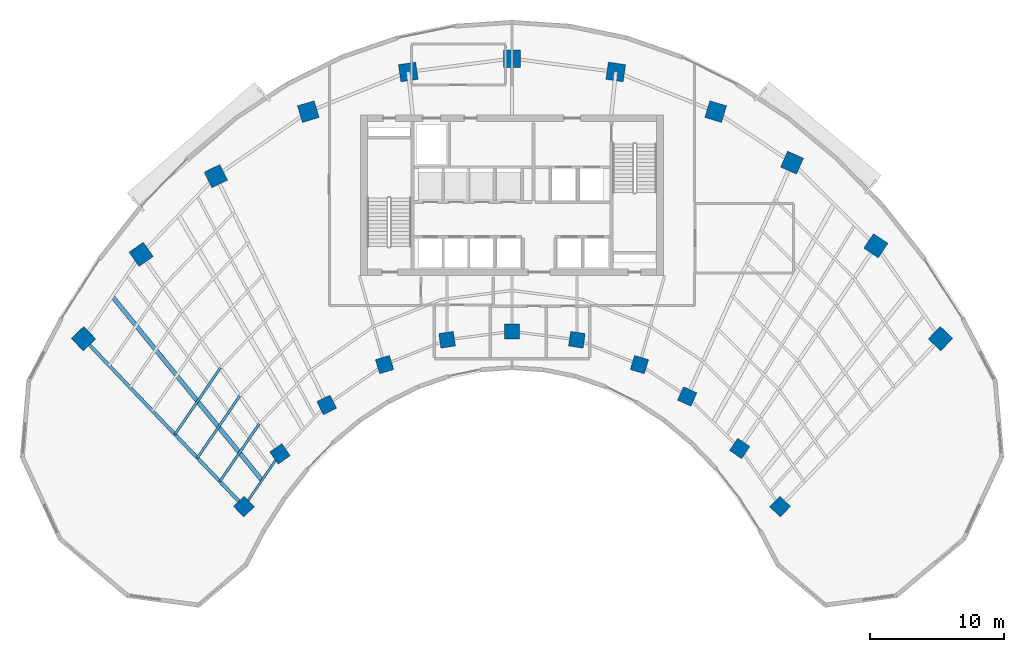
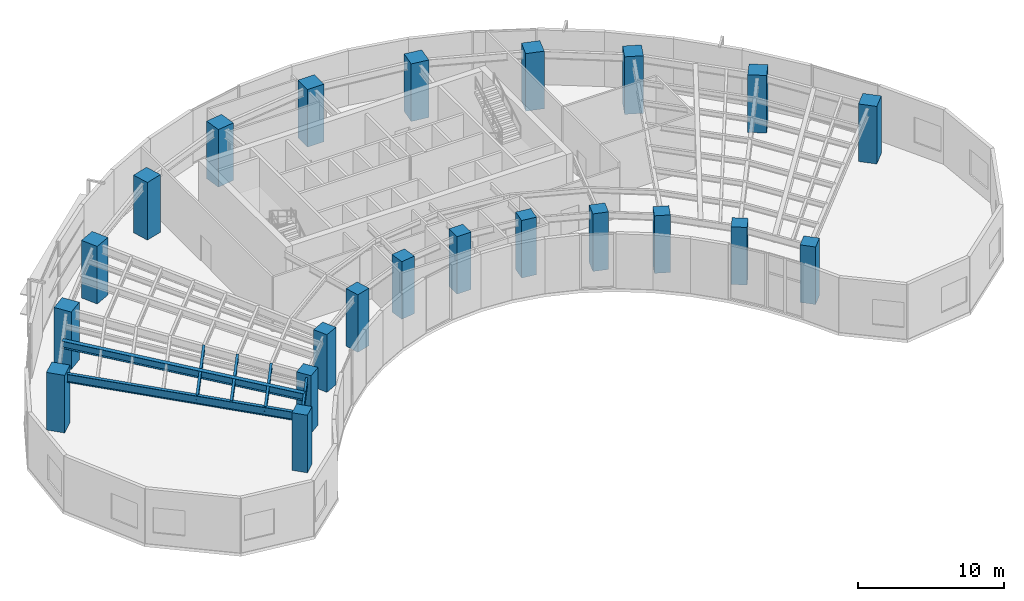
# One storey, part 1 of 15: 22 columns, 6 beams.
"""IFC4 building model written with IfcOpenShell, lengths in metres."""

from ifc_helpers import new_model, si_unit, direction, frame, origin, origin_2d, place, context, subcontext, project, spatial, rectangle, i_section, extrude, source, transform, mapped, material, material_profile, profile_set, type_object, type_shapes, element, save


model = new_model("IFC4")

# Units and contexts
model_context = context("Model", 3, precision=1e-05, world=origin(), true_north=direction((0.0, 1.0)))
body_context = subcontext(model_context, "Body", "Model", "MODEL_VIEW")
ifc_project = project(units=[si_unit("LENGTHUNIT", "METRE"), si_unit("AREAUNIT", "SQUARE_METRE"), si_unit("VOLUMEUNIT", "CUBIC_METRE"), si_unit("PLANEANGLEUNIT", "RADIAN"), si_unit("MASSUNIT", "GRAM", prefix="KILO")], contexts=[model_context])

# Site, building, storey
site_placement = place(None, origin())
site = spatial("IfcSite", under=ifc_project, at=site_placement, CompositionType="ELEMENT")
building_placement = place(site_placement, origin())
building = spatial("IfcBuilding", under=site, at=building_placement, Name="Breltana Convention Tower", CompositionType="ELEMENT")
storey_placement = place(building_placement, frame((0.0, 0.0, 91.199951171875)))
storey = spatial("IfcBuildingStorey", under=building, at=storey_placement, Name="L21", CompositionType="ELEMENT", Elevation=91.199951171875)

# Columns
ifc_material_1 = material(Name="Concrete C60/75", Category="concrete")
ifc_material_profile_1 = material_profile(ifc_material_1, rectangle(XDim=1.10009765625, YDim=1.10009765625, at=origin_2d()), Name="RC-COL-1100X1100")
ifc_profile_set_1 = profile_set([ifc_material_profile_1], Name="Concrete C60/75")
column_type_1 = type_object("IfcColumnType", Name="COL-RC-1100", PredefinedType="COLUMN", material=ifc_profile_set_1)
shared_shape_1 = source(origin(), body_context, "Body", "SweptSolid", [
    extrude(rectangle(XDim=1.10009765625, YDim=1.10009765625, at=origin_2d()), origin(), (0.0, 0.0, 1.0), 4.800048828125),
])
for number, where, z_axis, x_axis, name in (
    (1, (27.984619140625, 42.95458984375, 0.0), (0.0, 0.0, 1.0), (-0.690756218984, 0.723087716626, 0.0), "L21 Tower Column R01-IN"),
    (2, (30.67724609375, 46.892333984375, 0.0), (0.0, 0.0, 1.0), (-0.571143442153, 0.820850271661, 0.0), "L21 Tower Column R02-IN"),
    (3, (34.166259765625, 50.544921875, 0.0), (0.0, 0.0, 1.0), (-0.436173672171, 0.899862504889, 0.0), "L21 Tower Column R03-IN"),
    (4, (38.485107421875, 53.5576171875, 0.0), (0.0, 0.0, 1.0), (-0.288697611798, 0.957420330337, 0.0), "L21 Tower Column R04-IN"),
    (5, (43.153564453125, 55.41064453125, 0.0), (0.0, 0.0, 1.0), (-0.143492621991, 0.98965138682, 0.0), "L21 Tower Column R05-IN"),
    (6, (48.0, 56.035888671875, 0.0), (0.0, 0.0, 1.0), (0.0, 1.0, 0.0), "L21 Tower Column R06-IN"),
    (7, (52.846435546875, 55.41064453125, 0.0), (0.0, 0.0, 1.0), (0.143492621991, 0.98965138682, 0.0), "L21 Tower Column R07-IN"),
    (8, (57.514892578125, 53.5576171875, 0.0), (0.0, 0.0, 1.0), (0.288697611798, 0.957420330337, 0.0), "L21 Tower Column R08-IN"),
    (9, (61.08203125, 51.174560546875, 0.0), (0.0, 0.0, 1.0), (0.409126902895, 0.912477494148, 0.0), "L21 Tower Column R09-IN"),
    (10, (64.995849609375, 47.293701171875, 0.0), (0.0, 0.0, 1.0), (0.55774510898, 0.830012285095, 0.0), "L21 Tower Column R10-IN"),
    (11, (68.015380859375, 42.95458984375, 0.0), (0.0, 0.0, 1.0), (0.690756218984, 0.723087716626, 0.0), "L21 Tower Column R11-IN"),
):
    element("IfcColumn", number, at=place(storey_placement, frame(where, z_axis=z_axis, x_axis=x_axis)), inside=storey, type_object=column_type_1, Name=name, PredefinedType="COLUMN", context=body_context, shape_type="MappedRepresentation", body=[
        mapped(shared_shape_1, transform((0.0, 0.0, 0.0), scale=1.0)),
    ])
ifc_material_profile_2 = material_profile(ifc_material_1, rectangle(XDim=1.300048828125, YDim=1.300048828125, at=origin_2d()), Name="RC-COL-1300X1300")
ifc_profile_set_2 = profile_set([ifc_material_profile_2], Name="Concrete C60/75")
column_type_2 = type_object("IfcColumnType", Name="COL-RC-1300", PredefinedType="COLUMN", material=ifc_profile_set_2)
shared_shape_2 = source(origin(), body_context, "Body", "SweptSolid", [
    extrude(rectangle(XDim=1.300048828125, YDim=1.300048828125, at=origin_2d()), origin(), (0.0, 0.0, 1.0), 4.800048828125),
])
for number, where, z_axis, x_axis, name in (
    (12, (16.0068359375, 55.494384765625, 0.0), (0.0, 0.0, 1.0), (-0.690756218984, 0.723087716626, 0.0), "L21 Tower Column R01-OUT"),
    (13, (20.310791015625, 61.78857421875, 0.0), (0.0, 0.0, 1.0), (-0.571143442153, 0.820850271661, 0.0), "L21 Tower Column R02-OUT"),
    (14, (25.8876953125, 67.626953125, 0.0), (0.0, 0.0, 1.0), (-0.436173672171, 0.899862504889, 0.0), "L21 Tower Column R03-OUT"),
    (15, (32.791015625, 72.4423828125, 0.0), (0.0, 0.0, 1.0), (-0.288697611798, 0.957420330337, 0.0), "L21 Tower Column R04-OUT"),
    (16, (40.253173828125, 75.404296875, 0.0), (0.0, 0.0, 1.0), (-0.143492621991, 0.98965138682, 0.0), "L21 Tower Column R05-OUT"),
    (17, (48.0, 76.404052734375, 0.0), (0.0, 0.0, 1.0), (0.0, 1.0, 0.0), "L21 Tower Column R06-OUT"),
    (18, (55.746826171875, 75.404296875, 0.0), (0.0, 0.0, 1.0), (0.143492621991, 0.98965138682, 0.0), "L21 Tower Column R07-OUT"),
    (19, (63.208984375, 72.4423828125, 0.0), (0.0, 0.0, 1.0), (0.288697611798, 0.957420330337, 0.0), "L21 Tower Column R08-OUT"),
    (20, (68.910400390625, 68.63330078125, 0.0), (0.0, 0.0, 1.0), (0.409126902895, 0.912477494148, 0.0), "L21 Tower Column R09-OUT"),
    (21, (75.166748046875, 62.43017578125, 0.0), (0.0, 0.0, 1.0), (0.55774510898, 0.830012285095, 0.0), "L21 Tower Column R10-OUT"),
    (22, (79.9931640625, 55.494384765625, 0.0), (0.0, 0.0, 1.0), (0.690756218984, 0.723087716626, 0.0), "L21 Tower Column R11-OUT"),
):
    element("IfcColumn", number, at=place(storey_placement, frame(where, z_axis=z_axis, x_axis=x_axis)), inside=storey, type_object=column_type_2, Name=name, PredefinedType="COLUMN", context=body_context, shape_type="MappedRepresentation", body=[
        mapped(shared_shape_2, transform((0.0, 0.0, 0.0), scale=1.0)),
    ])

# Beams
ifc_material_2 = material(Name="Steel ASTM A992 Grade 50", Category="steel")
ifc_material_profile_3 = material_profile(ifc_material_2, i_section(OverallWidth=0.323974609375, OverallDepth=0.611083984375, WebThickness=0.0126953125, FlangeThickness=0.01904296875, at=origin_2d()), Name="W24X104")
ifc_profile_set_3 = profile_set([ifc_material_profile_3], Name="Steel ASTM A992 Grade 50")
beam_type_1 = type_object("IfcBeamType", Name="BM-JSG-01", PredefinedType="JOIST", material=ifc_profile_set_3)
shared_shape_3 = source(origin(), body_context, "Body", "SweptSolid", [
    extrude(i_section(OverallWidth=0.323974609375, OverallDepth=0.611083984375, WebThickness=0.0126953125, FlangeThickness=0.01904296875, at=origin_2d()), origin(), (0.0, 0.0, 1.0), 17.691650390625),
])
type_shapes(beam_type_1, [shared_shape_3])
beam_1_placement = place(storey_placement, frame((29.330810546875, 44.923583984375, 4.24462890625), z_axis=(-0.631476958478, 0.775394642044, 0.0), x_axis=(-0.775394642044, -0.631476958478, 0.0)))
element("IfcBeam", 23, at=beam_1_placement, inside=storey, type_object=beam_type_1, Name="L21 Mid-Bay Radial Trimmer 01", PredefinedType="JOIST", context=body_context, shape_type="MappedRepresentation", body=[
    mapped(shared_shape_3, transform((0.0, 0.0, 0.0), scale=1.0)),
])
ifc_material_profile_4 = material_profile(ifc_material_2, i_section(OverallWidth=0.179931640625, OverallDepth=0.4130859375, WebThickness=0.009765625, FlangeThickness=0.01611328125, at=origin_2d()), Name="W16X50")
ifc_profile_set_4 = profile_set([ifc_material_profile_4], Name="Steel ASTM A992 Grade 50")
beam_type_2 = type_object("IfcBeamType", Name="BM-JSG-08", PredefinedType="JOIST", material=ifc_profile_set_4)
shared_shape_4 = source(origin(), body_context, "Body", "SweptSolid", [
    extrude(i_section(OverallWidth=0.179931640625, OverallDepth=0.4130859375, WebThickness=0.009765625, FlangeThickness=0.01611328125, at=origin_2d()), origin(), (0.0, 0.0, 1.0), 5.198486328125),
])
beam_2_placement = place(storey_placement, frame((26.187744140625, 44.835693359375, 4.343505859375), z_axis=(0.564502073134, 0.825431650367, 0.0), x_axis=(-0.825431650367, 0.564502073134, 0.0)))
element("IfcBeam", 24, at=beam_2_placement, inside=storey, type_object=beam_type_2, Name="L21 Composite Floor Joist 01.1", PredefinedType="JOIST", context=body_context, shape_type="MappedRepresentation", body=[
    mapped(shared_shape_4, transform((0.0, 0.0, 0.0), scale=1.0)),
])
shared_shape_5 = source(origin(), body_context, "Body", "SweptSolid", [
    extrude(i_section(OverallWidth=0.179931640625, OverallDepth=0.4130859375, WebThickness=0.009765625, FlangeThickness=0.01611328125, at=origin_2d()), origin(), (0.0, 0.0, 1.0), 5.59814453125),
])
beam_3_placement = place(storey_placement, frame((24.510986328125, 46.59130859375, 4.343505859375), z_axis=(0.564454073219, 0.825464474842, 0.0), x_axis=(-0.825464474842, 0.564454073219, 0.0)))
element("IfcBeam", 25, at=beam_3_placement, inside=storey, type_object=beam_type_2, Name="L21 Composite Floor Joist 01.2", PredefinedType="JOIST", context=body_context, shape_type="MappedRepresentation", body=[
    mapped(shared_shape_5, transform((0.0, 0.0, 0.0), scale=1.0)),
])
shared_shape_6 = source(origin(), body_context, "Body", "SweptSolid", [
    extrude(i_section(OverallWidth=0.179931640625, OverallDepth=0.4130859375, WebThickness=0.009765625, FlangeThickness=0.01611328125, at=origin_2d()), origin(), (0.0, 0.0, 1.0), 5.998046875),
])
beam_4_placement = place(storey_placement, frame((22.833984375, 48.3466796875, 4.343505859375), z_axis=(0.564467940449, 0.825454992235, 0.0), x_axis=(-0.825454992235, 0.564467940449, 0.0)))
element("IfcBeam", 26, at=beam_4_placement, inside=storey, type_object=beam_type_2, Name="L21 Composite Floor Joist 01.3", PredefinedType="JOIST", context=body_context, shape_type="MappedRepresentation", body=[
    mapped(shared_shape_6, transform((0.0, 0.0, 0.0), scale=1.0)),
])
ifc_material_profile_5 = material_profile(ifc_material_2, i_section(OverallWidth=0.25390625, OverallDepth=0.68798828125, WebThickness=0.01318359375, FlangeThickness=0.02099609375, at=origin_2d()), Name="W27X102")
ifc_profile_set_5 = profile_set([ifc_material_profile_5], Name="Steel ASTM A992 Grade 50")
beam_type_3 = type_object("IfcBeamType", Name="BM-RG-W27X102", PredefinedType="USERDEFINED", material=ifc_profile_set_5)
shared_shape_7 = source(origin(), body_context, "Body", "SweptSolid", [
    extrude(i_section(OverallWidth=0.25390625, OverallDepth=0.68798828125, WebThickness=0.01318359375, FlangeThickness=0.02099609375, at=origin_2d()), origin(), (0.0, 0.0, 1.0), 17.341064453125),
])
type_shapes(beam_type_3, [shared_shape_7])
beam_5_placement = place(storey_placement, frame((27.984619140625, 42.95458984375, 4.2060546875), z_axis=(-0.690716462293, 0.723125693581, 0.0), x_axis=(-0.723125693581, -0.690716462293, 0.0)))
element("IfcBeam", 27, at=beam_5_placement, inside=storey, type_object=beam_type_3, Name="L21 Radial Floor Girder R01", ObjectType="GIRDER", PredefinedType="USERDEFINED", context=body_context, shape_type="MappedRepresentation", body=[
    mapped(shared_shape_7, transform((0.0, 0.0, 0.0), scale=1.0)),
])
ifc_material_profile_6 = material_profile(ifc_material_2, i_section(OverallWidth=0.166015625, OverallDepth=0.534912109375, WebThickness=0.01025390625, FlangeThickness=0.0166015625, at=origin_2d()), Name="W21X57")
ifc_profile_set_6 = profile_set([ifc_material_profile_6], Name="Steel ASTM A992 Grade 50")
beam_type_4 = type_object("IfcBeamType", Name="BM-BM-W21X57", PredefinedType="BEAM", material=ifc_profile_set_6)
shared_shape_8 = source(origin(), body_context, "Body", "SweptSolid", [
    extrude(i_section(OverallWidth=0.166015625, OverallDepth=0.534912109375, WebThickness=0.01025390625, FlangeThickness=0.0166015625, at=origin_2d()), origin(), (0.0, 0.0, 1.0), 4.770263671875),
])
beam_6_placement = place(storey_placement, frame((27.984619140625, 42.95458984375, 4.282470703125), z_axis=(0.564452719055, 0.82546540082, 0.0), x_axis=(-0.82546540082, 0.564452719055, 0.0)))
element("IfcBeam", 28, at=beam_6_placement, inside=storey, type_object=beam_type_4, Name="L21 Inner Ring Beam 01", PredefinedType="BEAM", context=body_context, shape_type="MappedRepresentation", body=[
    mapped(shared_shape_8, transform((0.0, 0.0, 0.0), scale=1.0)),
])

save(model, "model.ifc")
